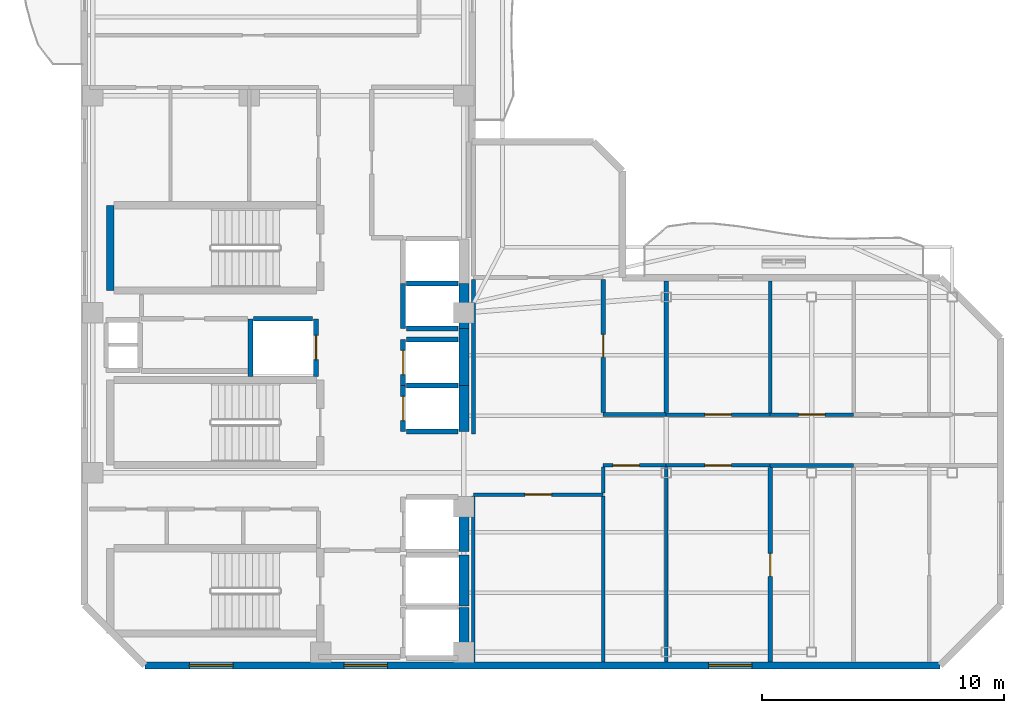
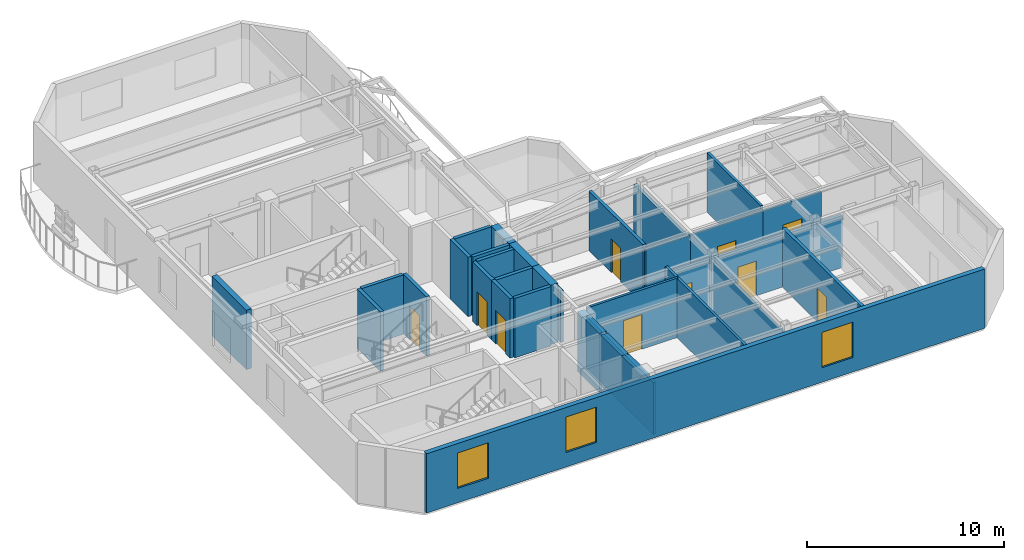
# One storey, part 3 of 7: 35 walls, 10 doors, 3 windows, 13 openings.
"""IFC4 building model written with IfcOpenShell, lengths in metres."""

from ifc_helpers import new_model, si_unit, direction, frame, frame_2d, origin, place, context, subcontext, project, spatial, rectangle, extrude, material, layer, layer_set, type_object, element, fill, save


model = new_model("IFC4")

# Units and contexts
model_context = context("Model", 3, precision=1e-05, world=origin(), true_north=direction((0.0, 1.0)))
body_context = subcontext(model_context, "Body", "Model", "MODEL_VIEW")
ifc_project = project(units=[si_unit("LENGTHUNIT", "METRE"), si_unit("AREAUNIT", "SQUARE_METRE"), si_unit("VOLUMEUNIT", "CUBIC_METRE"), si_unit("PLANEANGLEUNIT", "RADIAN"), si_unit("MASSUNIT", "GRAM", prefix="KILO")], contexts=[model_context])

# Site, building, storey
site_placement = place(None, origin())
site = spatial("IfcSite", under=ifc_project, at=site_placement, CompositionType="ELEMENT")
building_placement = place(site_placement, origin())
building = spatial("IfcBuilding", under=site, at=building_placement, Name="Mawjaban Terraces University", CompositionType="ELEMENT")
storey_placement = place(building_placement, frame((0.0, 0.0, 283.300048828125)))
storey = spatial("IfcBuildingStorey", under=building, at=storey_placement, Name="L69", CompositionType="ELEMENT", Elevation=283.300048828125)

# Walls
ifc_material_1 = material(Name="Acoustic masonry blockwork", Category="masonry")
ifc_layer_1 = layer(ifc_material_1, 0.179931640625)
ifc_layer_set_1 = layer_set([ifc_layer_1], Name="Acoustic masonry blockwork")
wall_type_1 = type_object("IfcWallType", Name="AcousticStudioWall_180", PredefinedType="PARTITIONING", material=ifc_layer_set_1)
wall_1_placement = place(storey_placement, frame((46.0, 10.35009765625, 0.0), z_axis=(0.0, 0.0, 1.0), x_axis=(-1.0, 0.0, 0.0)))
element("IfcWall", 1, at=wall_1_placement, inside=storey, type_object=wall_type_1, Name="L69 Upper East Research Corridor Partition 19", PredefinedType="PARTITIONING", context=body_context, shape_type="SweptSolid", body=[
    extrude(rectangle(XDim=2.60009765625, YDim=0.179931640625, at=frame_2d((1.300048828125, 0.0))), origin(), (0.0, 0.0, 1.0), 3.424072265625),
])
wall_2_placement = place(storey_placement, frame((50.2900390625, 8.25, 0.0), z_axis=(0.0, 0.0, 1.0), x_axis=(1.0, 0.0, 0.0)))
element("IfcWall", 2, at=wall_2_placement, inside=storey, type_object=wall_type_1, Name="L69 Upper East Research Corridor Partition 20", PredefinedType="PARTITIONING", context=body_context, shape_type="SweptSolid", body=[
    extrude(rectangle(XDim=3.43994140625, YDim=0.179931640625, at=frame_2d((1.719970703125, 0.0))), origin(), (0.0, 0.0, 1.0), 3.22705078125),
])

# Wall, opening, door
wall_3_placement = place(storey_placement, frame((43.39990234375, 10.43505859375, 0.0), z_axis=(0.0, 0.0, 1.0), x_axis=(0.0, 1.0, 0.0)))
wall_3 = element("IfcWall", 3, at=wall_3_placement, inside=storey, type_object=wall_type_1, Name="L69 Upper Research Hub Concourse Partition 43", PredefinedType="PARTITIONING", context=body_context, shape_type="SweptSolid", body=[
    extrude(rectangle(XDim=5.489990234375, YDim=0.179931640625, at=frame_2d((2.7451171875, 0.0))), origin(), (0.0, 0.0, 1.0), 3.68994140625),
])
opening_1_placement = place(wall_3_placement, frame((2.27001953125, 0.0, 0.0)))
opening_1 = element("IfcOpeningElement", 4, at=opening_1_placement, cuts=wall_3, Name="Opening ID-095", PredefinedType="OPENING", context=body_context, shape_type="SweptSolid", body=[
    extrude(rectangle(XDim=0.949951171875, YDim=2.10009765625, at=frame_2d((0.47509765625, 1.050048828125))), frame((0.0, 0.099853515625, 0.0), z_axis=(0.0, -1.0, 0.0), x_axis=(1.0, 0.0, 0.0)), (0.0, 0.0, 1.0), 0.199951171875),
])
ifc_material_2 = material(Name="Powder-coated steel frame and solid acoustic timber leaf", Category="steel")
door_type_1 = type_object("IfcDoorType", Name="StudioDoor_950x2100", OperationType="NOTDEFINED", PredefinedType="DOOR", material=ifc_material_2)
door_1_placement = place(opening_1_placement, origin())
door_1 = element("IfcDoor", 5, at=door_1_placement, inside=storey, type_object=door_type_1, Name="L69 Design Studio 3 Door", OperationType="SINGLE_SWING_RIGHT", OverallHeight=2.10009765625, OverallWidth=0.949951171875, PredefinedType="DOOR", context=body_context, shape_type="SweptSolid", body=[
    extrude(rectangle(XDim=0.949951171875, YDim=2.10009765625, at=frame_2d((0.47509765625, 1.050048828125))), frame((0.0, 0.02490234375, 0.0), z_axis=(0.0, -1.0, 0.0), x_axis=(1.0, 0.0, 0.0)), (0.0, 0.0, 1.0), 0.050048828125),
])
fill(opening_1, door_1)

# Wall
wall_4_placement = place(storey_placement, frame((46.0, 10.43505859375, 0.0), z_axis=(0.0, 0.0, 1.0), x_axis=(0.0, 1.0, 0.0)))
element("IfcWall", 6, at=wall_4_placement, inside=storey, type_object=wall_type_1, Name="L69 Design Studio 3 Partition 45", PredefinedType="PARTITIONING", context=body_context, shape_type="SweptSolid", body=[
    extrude(rectangle(XDim=5.431884765625, YDim=0.179931640625, at=frame_2d((2.7158203125, 0.0))), origin(), (0.0, 0.0, 1.0), 3.22705078125),
])

# Wall, opening, door
wall_5_placement = place(storey_placement, frame((50.2900390625, 0.133056640625, 0.0), z_axis=(0.0, 0.0, 1.0), x_axis=(0.0, 1.0, 0.0)))
wall_5 = element("IfcWall", 7, at=wall_5_placement, inside=storey, type_object=wall_type_1, Name="L69 Computational Laboratory 4 Partition 46", PredefinedType="PARTITIONING", context=body_context, shape_type="SweptSolid", body=[
    extrude(rectangle(XDim=8.031982421875, YDim=0.179931640625, at=frame_2d((4.01611328125, 0.0))), origin(), (0.0, 0.0, 1.0), 3.68994140625),
])
opening_2_placement = place(wall_5_placement, frame((3.541015625, 0.0, 0.0)))
opening_2 = element("IfcOpeningElement", 8, at=opening_2_placement, cuts=wall_5, Name="Opening ID-095", PredefinedType="OPENING", context=body_context, shape_type="SweptSolid", body=[
    extrude(rectangle(XDim=0.949951171875, YDim=2.10009765625, at=frame_2d((0.47509765625, 1.050048828125))), frame((0.0, 0.099853515625, 0.0), z_axis=(0.0, -1.0, 0.0), x_axis=(1.0, 0.0, 0.0)), (0.0, 0.0, 1.0), 0.199951171875),
])
door_2_placement = place(opening_2_placement, origin())
door_2 = element("IfcDoor", 9, at=door_2_placement, inside=storey, type_object=door_type_1, Name="L69 Design Studio 6 Door", OperationType="SINGLE_SWING_LEFT", OverallHeight=2.10009765625, OverallWidth=0.949951171875, PredefinedType="DOOR", context=body_context, shape_type="SweptSolid", body=[
    extrude(rectangle(XDim=0.949951171875, YDim=2.10009765625, at=frame_2d((0.47509765625, 1.050048828125))), frame((0.0, 0.02490234375, 0.0), z_axis=(0.0, -1.0, 0.0), x_axis=(1.0, 0.0, 0.0)), (0.0, 0.0, 1.0), 0.050048828125),
])
fill(opening_2, door_2)

# Walls
ifc_material_3 = material(Name="Concrete C50/60", Category="concrete")
ifc_layer_2 = layer(ifc_material_3, 0.419921875)
ifc_layer_set_2 = layer_set([ifc_layer_2], Name="Concrete C50/60")
wall_type_2 = type_object("IfcWallType", Name="CoreShearWall_420", PredefinedType="SHEAR", material=ifc_layer_set_2)
wall_6_placement = place(storey_placement, frame((37.659912109375, 0.300048828125, 0.0), z_axis=(0.0, 0.0, 1.0), x_axis=(0.0, 1.0, 0.0)))
element("IfcWall", 10, at=wall_6_placement, inside=storey, type_object=wall_type_2, Name="L69 Lift FL-1 Hoistway Wall East", PredefinedType="SHEAR", context=body_context, shape_type="SweptSolid", body=[
    extrude(rectangle(XDim=2.099853515625, YDim=0.419921875, at=frame_2d((1.0498046875, 0.0))), origin(), (0.0, 0.0, 1.0), 3.68994140625),
])
wall_7_placement = place(storey_placement, frame((37.659912109375, 2.449951171875, 0.0), z_axis=(0.0, 0.0, 1.0), x_axis=(0.0, 1.0, 0.0)))
element("IfcWall", 11, at=wall_7_placement, inside=storey, type_object=wall_type_2, Name="L69 Lift FL-2 Hoistway Wall East", PredefinedType="SHEAR", context=body_context, shape_type="SweptSolid", body=[
    extrude(rectangle(XDim=2.10009765625, YDim=0.419921875, at=frame_2d((1.050048828125, 0.0))), origin(), (0.0, 0.0, 1.0), 3.68994140625),
])
wall_8_placement = place(storey_placement, frame((37.659912109375, 4.699951171875, 0.0), z_axis=(0.0, 0.0, 1.0), x_axis=(0.0, 1.0, 0.0)))
element("IfcWall", 12, at=wall_8_placement, inside=storey, type_object=wall_type_2, Name="L69 Lift SL-1 Hoistway Wall East", PredefinedType="SHEAR", context=body_context, shape_type="SweptSolid", body=[
    extrude(rectangle(XDim=2.25, YDim=0.419921875, at=frame_2d((1.125, 0.0))), origin(), (0.0, 0.0, 1.0), 3.68994140625),
])
wall_9_placement = place(storey_placement, frame((37.659912109375, 9.64990234375, 0.0), z_axis=(0.0, 0.0, 1.0), x_axis=(0.0, 1.0, 0.0)))
element("IfcWall", 13, at=wall_9_placement, inside=storey, type_object=wall_type_2, Name="L69 Lift PL-H1 Hoistway Wall East", PredefinedType="SHEAR", context=body_context, shape_type="SweptSolid", body=[
    extrude(rectangle(XDim=1.900146484375, YDim=0.419921875, at=frame_2d((0.9501953125, 0.0))), origin(), (0.0, 0.0, 1.0), 3.68994140625),
])
wall_10_placement = place(storey_placement, frame((37.659912109375, 11.550048828125, 0.0), z_axis=(0.0, 0.0, 1.0), x_axis=(0.0, 1.0, 0.0)))
element("IfcWall", 14, at=wall_10_placement, inside=storey, type_object=wall_type_2, Name="L69 Lift PL-H2 Hoistway Wall East", PredefinedType="SHEAR", context=body_context, shape_type="SweptSolid", body=[
    extrude(rectangle(XDim=2.349853515625, YDim=0.419921875, at=frame_2d((1.1748046875, 0.0))), origin(), (0.0, 0.0, 1.0), 3.68994140625),
])
wall_11_placement = place(storey_placement, frame((37.659912109375, 13.89990234375, 0.0), z_axis=(0.0, 0.0, 1.0), x_axis=(0.0, 1.0, 0.0)))
element("IfcWall", 15, at=wall_11_placement, inside=storey, type_object=wall_type_2, Name="L69 Lift OL-1 Hoistway Wall East", PredefinedType="SHEAR", context=body_context, shape_type="SweptSolid", body=[
    extrude(rectangle(XDim=1.85009765625, YDim=0.419921875, at=frame_2d((0.925048828125, 0.0))), origin(), (0.0, 0.0, 1.0), 3.68994140625),
])
ifc_material_4 = material(Name="Fire-rated gypsum board on steel stud", Category="steel")
ifc_layer_3 = layer(ifc_material_4, 0.159912109375)
ifc_layer_set_3 = layer_set([ifc_layer_3], Name="Fire-rated gypsum board on steel stud")
wall_type_3 = type_object("IfcWallType", Name="CorridorPartition_160", PredefinedType="PARTITIONING", material=ifc_layer_set_3)
wall_12_placement = place(storey_placement, frame((38.050048828125, 15.925048828125, 0.0), z_axis=(0.0, 0.0, 1.0), x_axis=(0.0, -1.0, 0.0)))
element("IfcWall", 16, at=wall_12_placement, inside=storey, type_object=wall_type_3, Name="L69 Upper Research Hub Concourse Partition 39", PredefinedType="PARTITIONING", context=body_context, shape_type="SweptSolid", body=[
    extrude(rectangle(XDim=6.375, YDim=0.159912109375, at=frame_2d((3.1875, 0.0))), origin(), (0.0, 0.0, 1.0), 3.22705078125),
])

# Wall, openings, windows
ifc_material_5 = material(Name="Insulated terracotta rainscreen on concrete backup C40/50", Category="masonry")
ifc_layer_4 = layer(ifc_material_5, 0.27490234375)
ifc_layer_set_4 = layer_set([ifc_layer_4], Name="Insulated terracotta rainscreen on concrete backup C40/50")
wall_type_4 = type_object("IfcWallType", Name="ExtTerracottaWall_275", PredefinedType="SOLIDWALL", material=ifc_layer_set_4)
wall_13_placement = place(storey_placement, frame((24.5, 0.0, 0.0), z_axis=(0.0, 0.0, 1.0), x_axis=(1.0, 0.0, 0.0)))
wall_13 = element("IfcWall", 17, at=wall_13_placement, inside=storey, type_object=wall_type_4, Name="L69 Exterior Terracotta Wall 1", PredefinedType="SOLIDWALL", context=body_context, shape_type="SweptSolid", body=[
    extrude(rectangle(XDim=32.800048828125, YDim=0.27490234375, at=frame_2d((16.39990234375, 0.0))), origin(), (0.0, 0.0, 1.0), 3.68994140625),
])
opening_3_placement = place(wall_13_placement, frame((1.8330078125, 0.0, 0.89990234375)))
opening_3 = element("IfcOpeningElement", 18, at=opening_3_placement, cuts=wall_13, Name="Opening W-10", PredefinedType="OPENING", context=body_context, shape_type="SweptSolid", body=[
    extrude(rectangle(XDim=1.800048828125, YDim=2.199951171875, at=frame_2d((0.89990234375, 1.10009765625))), frame((0.0, 0.1474609375, 0.0), z_axis=(0.0, -1.0, 0.0), x_axis=(1.0, 0.0, 0.0)), (0.0, 0.0, 1.0), 0.294921875),
])
opening_4_placement = place(wall_13_placement, frame((8.199951171875, 0.0, 0.89990234375)))
opening_4 = element("IfcOpeningElement", 19, at=opening_4_placement, cuts=wall_13, Name="Opening W-10", PredefinedType="OPENING", context=body_context, shape_type="SweptSolid", body=[
    extrude(rectangle(XDim=1.800048828125, YDim=2.199951171875, at=frame_2d((0.89990234375, 1.10009765625))), frame((0.0, 0.1474609375, 0.0), z_axis=(0.0, -1.0, 0.0), x_axis=(1.0, 0.0, 0.0)), (0.0, 0.0, 1.0), 0.294921875),
])
opening_5_placement = place(wall_13_placement, frame((23.25, 0.0, 0.89990234375)))
opening_5 = element("IfcOpeningElement", 20, at=opening_5_placement, cuts=wall_13, Name="Opening W-10", PredefinedType="OPENING", context=body_context, shape_type="SweptSolid", body=[
    extrude(rectangle(XDim=1.800048828125, YDim=2.199951171875, at=frame_2d((0.89990234375, 1.10009765625))), frame((0.0, 0.1474609375, 0.0), z_axis=(0.0, -1.0, 0.0), x_axis=(1.0, 0.0, 0.0)), (0.0, 0.0, 1.0), 0.294921875),
])
ifc_material_6 = material(Name="Low-E solar-control double glazing in thermally broken aluminium frame", Category="aluminium")
window_type = type_object("IfcWindowType", Name="Win_1800x2200", PartitioningType="SINGLE_PANEL", PredefinedType="WINDOW", material=ifc_material_6)
window_1_placement = place(opening_3_placement, origin())
window_1 = element("IfcWindow", 21, at=window_1_placement, inside=storey, type_object=window_type, Name="L69 Facade Window 1.1", OverallHeight=2.199951171875, OverallWidth=1.800048828125, PartitioningType="SINGLE_PANEL", PredefinedType="WINDOW", context=body_context, shape_type="SweptSolid", body=[
    extrude(rectangle(XDim=1.800048828125, YDim=2.199951171875, at=frame_2d((0.89990234375, 1.10009765625))), frame((0.0, 0.030029296875, 0.0), z_axis=(0.0, -1.0, 0.0), x_axis=(1.0, 0.0, 0.0)), (0.0, 0.0, 1.0), 0.06005859375),
])
fill(opening_3, window_1)
window_2_placement = place(opening_4_placement, origin())
window_2 = element("IfcWindow", 22, at=window_2_placement, inside=storey, type_object=window_type, Name="L69 Facade Window 1.2", OverallHeight=2.199951171875, OverallWidth=1.800048828125, PartitioningType="SINGLE_PANEL", PredefinedType="WINDOW", context=body_context, shape_type="SweptSolid", body=[
    extrude(rectangle(XDim=1.800048828125, YDim=2.199951171875, at=frame_2d((0.89990234375, 1.10009765625))), frame((0.0, 0.030029296875, 0.0), z_axis=(0.0, -1.0, 0.0), x_axis=(1.0, 0.0, 0.0)), (0.0, 0.0, 1.0), 0.06005859375),
])
fill(opening_4, window_2)
window_3_placement = place(opening_5_placement, origin())
window_3 = element("IfcWindow", 23, at=window_3_placement, inside=storey, type_object=window_type, Name="L69 Facade Window 1.5", OverallHeight=2.199951171875, OverallWidth=1.800048828125, PartitioningType="SINGLE_PANEL", PredefinedType="WINDOW", context=body_context, shape_type="SweptSolid", body=[
    extrude(rectangle(XDim=1.800048828125, YDim=2.199951171875, at=frame_2d((0.89990234375, 1.10009765625))), frame((0.0, 0.030029296875, 0.0), z_axis=(0.0, -1.0, 0.0), x_axis=(1.0, 0.0, 0.0)), (0.0, 0.0, 1.0), 0.06005859375),
])
fill(opening_5, window_3)

# Wall, opening, door
ifc_material_7 = material(Name="Concrete C40/50", Category="concrete")
ifc_layer_5 = layer(ifc_material_7, 0.199951171875)
ifc_layer_set_5 = layer_set([ifc_layer_5], Name="Concrete C40/50")
wall_type_5 = type_object("IfcWallType", Name="FireLobbyWall_200", PredefinedType="SOLIDWALL", material=ifc_layer_set_5)
wall_14_placement = place(storey_placement, frame((35.14990234375, 11.550048828125, 0.0), z_axis=(0.0, 0.0, 1.0), x_axis=(0.0, -1.0, 0.0)))
wall_14 = element("IfcWall", 24, at=wall_14_placement, inside=storey, type_object=wall_type_5, Name="L69 Lift PL-H1 Hoistway Wall West", PredefinedType="SOLIDWALL", context=body_context, shape_type="SweptSolid", body=[
    extrude(rectangle(XDim=1.900146484375, YDim=0.199951171875, at=frame_2d((0.9501953125, 0.0))), origin(), (0.0, 0.0, 1.0), 3.68994140625),
])
opening_6_placement = place(wall_14_placement, frame((0.449951171875, 0.0, 0.0)))
opening_6 = element("IfcOpeningElement", 25, at=opening_6_placement, cuts=wall_14, Name="Opening LD-PL-H1", PredefinedType="OPENING", context=body_context, shape_type="SweptSolid", body=[
    extrude(rectangle(XDim=1.0, YDim=2.10009765625, at=frame_2d((0.5, 1.050048828125))), frame((0.0, 0.10986328125, 0.0), z_axis=(0.0, -1.0, 0.0), x_axis=(1.0, 0.0, 0.0)), (0.0, 0.0, 1.0), 0.219970703125),
])
ifc_material_8 = material(Name="Powder-coated steel frame and fire-rated steel-faced leaf", Category="steel")
door_type_2 = type_object("IfcDoorType", Name="LiftLandingSliding_1000x2100", OperationType="NOTDEFINED", PredefinedType="DOOR", material=ifc_material_8)
door_3_placement = place(opening_6_placement, origin())
door_3 = element("IfcDoor", 26, at=door_3_placement, inside=storey, type_object=door_type_2, Name="L69 Lift PL-H1 Sliding Landing Door", OperationType="DOUBLE_DOOR_SLIDING", OverallHeight=2.10009765625, OverallWidth=1.0, PredefinedType="DOOR", context=body_context, shape_type="SweptSolid", body=[
    extrude(rectangle(XDim=1.0, YDim=2.10009765625, at=frame_2d((0.5, 1.050048828125))), frame((0.0, 0.02490234375, 0.0), z_axis=(0.0, -1.0, 0.0), x_axis=(1.0, 0.0, 0.0)), (0.0, 0.0, 1.0), 0.050048828125),
])
fill(opening_6, door_3)

# Walls
for number, where, z_axis, x_axis, name in (
    (27, (35.280029296875, 9.64990234375, 0.0), (0.0, 0.0, 1.0), (1.0, 0.0, 0.0), "L69 Lift PL-H1 Hoistway Wall South"),
    (28, (37.419921875, 11.550048828125, 0.0), (0.0, 0.0, 1.0), (-1.0, 0.0, 0.0), "L69 Lift PL-H1 Hoistway Wall North"),
):
    element("IfcWall", number, at=place(storey_placement, frame(where, z_axis=z_axis, x_axis=x_axis)), inside=storey, type_object=wall_type_5, Name=name, PredefinedType="SOLIDWALL", context=body_context, shape_type="SweptSolid", body=[
        extrude(rectangle(XDim=2.139892578125, YDim=0.199951171875, at=frame_2d((1.06982421875, 0.0))), origin(), (0.0, 0.0, 1.0), 3.68994140625),
    ])

# Wall, opening, door
wall_15_placement = place(storey_placement, frame((35.14990234375, 13.449951171875, 0.0), z_axis=(0.0, 0.0, 1.0), x_axis=(0.0, -1.0, 0.0)))
wall_15 = element("IfcWall", 29, at=wall_15_placement, inside=storey, type_object=wall_type_5, Name="L69 Lift PL-H2 Hoistway Wall West", PredefinedType="SOLIDWALL", context=body_context, shape_type="SweptSolid", body=[
    extrude(rectangle(XDim=1.89990234375, YDim=0.199951171875, at=frame_2d((0.949951171875, 0.0))), origin(), (0.0, 0.0, 1.0), 3.68994140625),
])
opening_7_placement = place(wall_15_placement, frame((0.449951171875, 0.0, 0.0)))
opening_7 = element("IfcOpeningElement", 30, at=opening_7_placement, cuts=wall_15, Name="Opening LD-PL-H2", PredefinedType="OPENING", context=body_context, shape_type="SweptSolid", body=[
    extrude(rectangle(XDim=1.0, YDim=2.10009765625, at=frame_2d((0.5, 1.050048828125))), frame((0.0, 0.10986328125, 0.0), z_axis=(0.0, -1.0, 0.0), x_axis=(1.0, 0.0, 0.0)), (0.0, 0.0, 1.0), 0.219970703125),
])
door_4_placement = place(opening_7_placement, origin())
door_4 = element("IfcDoor", 31, at=door_4_placement, inside=storey, type_object=door_type_2, Name="L69 Lift PL-H2 Sliding Landing Door", OperationType="DOUBLE_DOOR_SLIDING", OverallHeight=2.10009765625, OverallWidth=1.0, PredefinedType="DOOR", context=body_context, shape_type="SweptSolid", body=[
    extrude(rectangle(XDim=1.0, YDim=2.10009765625, at=frame_2d((0.5, 1.050048828125))), frame((0.0, 0.02490234375, 0.0), z_axis=(0.0, -1.0, 0.0), x_axis=(1.0, 0.0, 0.0)), (0.0, 0.0, 1.0), 0.050048828125),
])
fill(opening_7, door_4)

# Walls
wall_16_placement = place(storey_placement, frame((37.419921875, 13.449951171875, 0.0), z_axis=(0.0, 0.0, 1.0), x_axis=(-1.0, 0.0, 0.0)))
element("IfcWall", 32, at=wall_16_placement, inside=storey, type_object=wall_type_5, Name="L69 Lift PL-H2 Hoistway Wall North", PredefinedType="SOLIDWALL", context=body_context, shape_type="SweptSolid", body=[
    extrude(rectangle(XDim=2.139892578125, YDim=0.199951171875, at=frame_2d((1.06982421875, 0.0))), origin(), (0.0, 0.0, 1.0), 3.68994140625),
])
wall_17_placement = place(storey_placement, frame((28.85009765625, 14.300048828125, 0.0), z_axis=(0.0, 0.0, 1.0), x_axis=(0.0, -1.0, 0.0)))
element("IfcWall", 33, at=wall_17_placement, inside=storey, type_object=wall_type_5, Name="L69 Lift PL-H3 Hoistway Wall West", PredefinedType="SOLIDWALL", context=body_context, shape_type="SweptSolid", body=[
    extrude(rectangle(XDim=2.3701171875, YDim=0.199951171875, at=frame_2d((1.18505859375, 0.0))), origin(), (0.0, 0.0, 1.0), 3.68994140625),
])

# Wall, opening, door
wall_18_placement = place(storey_placement, frame((31.550048828125, 11.929931640625, 0.0), z_axis=(0.0, 0.0, 1.0), x_axis=(0.0, 1.0, 0.0)))
wall_18 = element("IfcWall", 34, at=wall_18_placement, inside=storey, type_object=wall_type_5, Name="L69 Lift PL-H3 Hoistway Wall East", PredefinedType="SOLIDWALL", context=body_context, shape_type="SweptSolid", body=[
    extrude(rectangle(XDim=2.3701171875, YDim=0.199951171875, at=frame_2d((1.18505859375, 0.0))), origin(), (0.0, 0.0, 1.0), 3.68994140625),
])
opening_8_placement = place(wall_18_placement, frame((0.68505859375, 0.0, 0.0)))
opening_8 = element("IfcOpeningElement", 35, at=opening_8_placement, cuts=wall_18, Name="Opening LD-PL-H3", PredefinedType="OPENING", context=body_context, shape_type="SweptSolid", body=[
    extrude(rectangle(XDim=1.0, YDim=2.10009765625, at=frame_2d((0.5, 1.050048828125))), frame((0.0, 0.10986328125, 0.0), z_axis=(0.0, -1.0, 0.0), x_axis=(1.0, 0.0, 0.0)), (0.0, 0.0, 1.0), 0.219970703125),
])
door_5_placement = place(opening_8_placement, origin())
door_5 = element("IfcDoor", 36, at=door_5_placement, inside=storey, type_object=door_type_2, Name="L69 Lift PL-H3 Sliding Landing Door", OperationType="DOUBLE_DOOR_SLIDING", OverallHeight=2.10009765625, OverallWidth=1.0, PredefinedType="DOOR", context=body_context, shape_type="SweptSolid", body=[
    extrude(rectangle(XDim=1.0, YDim=2.10009765625, at=frame_2d((0.5, 1.050048828125))), frame((0.0, 0.02490234375, 0.0), z_axis=(0.0, -1.0, 0.0), x_axis=(1.0, 0.0, 0.0)), (0.0, 0.0, 1.0), 0.050048828125),
])
fill(opening_8, door_5)

# Walls
wall_19_placement = place(storey_placement, frame((31.419921875, 14.300048828125, 0.0), z_axis=(0.0, 0.0, 1.0), x_axis=(-1.0, 0.0, 0.0)))
element("IfcWall", 37, at=wall_19_placement, inside=storey, type_object=wall_type_5, Name="L69 Lift PL-H3 Hoistway Wall North", PredefinedType="SOLIDWALL", context=body_context, shape_type="SweptSolid", body=[
    extrude(rectangle(XDim=2.43994140625, YDim=0.199951171875, at=frame_2d((1.219970703125, 0.0))), origin(), (0.0, 0.0, 1.0), 3.68994140625),
])
wall_20_placement = place(storey_placement, frame((35.14990234375, 15.75, 0.0), z_axis=(0.0, 0.0, 1.0), x_axis=(0.0, -1.0, 0.0)))
element("IfcWall", 38, at=wall_20_placement, inside=storey, type_object=wall_type_5, Name="L69 Lift OL-1 Hoistway Wall West", PredefinedType="SOLIDWALL", context=body_context, shape_type="SweptSolid", body=[
    extrude(rectangle(XDim=1.85009765625, YDim=0.199951171875, at=frame_2d((0.925048828125, 0.0))), origin(), (0.0, 0.0, 1.0), 3.68994140625),
])
for number, where, z_axis, x_axis, name in (
    (39, (35.280029296875, 13.89990234375, 0.0), (0.0, 0.0, 1.0), (1.0, 0.0, 0.0), "L69 Lift OL-1 Hoistway Wall South"),
    (40, (37.419921875, 15.75, 0.0), (0.0, 0.0, 1.0), (-1.0, 0.0, 0.0), "L69 Lift OL-1 Hoistway Wall North"),
):
    element("IfcWall", number, at=place(storey_placement, frame(where, z_axis=z_axis, x_axis=x_axis)), inside=storey, type_object=wall_type_5, Name=name, PredefinedType="SOLIDWALL", context=body_context, shape_type="SweptSolid", body=[
        extrude(rectangle(XDim=2.139892578125, YDim=0.199951171875, at=frame_2d((1.06982421875, 0.0))), origin(), (0.0, 0.0, 1.0), 3.68994140625),
    ])

# Wall, opening, door
ifc_material_9 = material(Name="Moisture-resistant gypsum board on steel stud", Category="steel")
ifc_layer_6 = layer(ifc_material_9, 0.14501953125)
ifc_layer_set_6 = layer_set([ifc_layer_6], Name="Moisture-resistant gypsum board on steel stud")
wall_type_6 = type_object("IfcWallType", Name="LabPartition_145", PredefinedType="PARTITIONING", material=ifc_layer_set_6)
wall_21_placement = place(storey_placement, frame((38.050048828125, 7.050048828125, 0.0), z_axis=(0.0, 0.0, 1.0), x_axis=(1.0, 0.0, 0.0)))
wall_21 = element("IfcWall", 41, at=wall_21_placement, inside=storey, type_object=wall_type_6, Name="L69 Upper Research Hub Concourse Partition 15", PredefinedType="PARTITIONING", context=body_context, shape_type="SweptSolid", body=[
    extrude(rectangle(XDim=5.349853515625, YDim=0.14501953125, at=frame_2d((2.6748046875, 0.0))), origin(), (0.0, 0.0, 1.0), 3.68994140625),
])
opening_9_placement = place(wall_21_placement, frame((2.125, 0.0, 0.0)))
opening_9 = element("IfcOpeningElement", 42, at=opening_9_placement, cuts=wall_21, Name="Opening ID-110", PredefinedType="OPENING", context=body_context, shape_type="SweptSolid", body=[
    extrude(rectangle(XDim=1.10009765625, YDim=2.14990234375, at=frame_2d((0.550048828125, 1.074951171875))), frame((0.0, 0.08251953125, 0.0), z_axis=(0.0, -1.0, 0.0), x_axis=(1.0, 0.0, 0.0)), (0.0, 0.0, 1.0), 0.1650390625),
])
door_type_3 = type_object("IfcDoorType", Name="LabDoor_1100x2150", OperationType="NOTDEFINED", PredefinedType="DOOR", material=ifc_material_2)
door_6_placement = place(opening_9_placement, origin())
door_6 = element("IfcDoor", 43, at=door_6_placement, inside=storey, type_object=door_type_3, Name="L69 Computational Laboratory 1 Door", OperationType="SINGLE_SWING_RIGHT", OverallHeight=2.14990234375, OverallWidth=1.10009765625, PredefinedType="DOOR", context=body_context, shape_type="SweptSolid", body=[
    extrude(rectangle(XDim=1.10009765625, YDim=2.14990234375, at=frame_2d((0.550048828125, 1.074951171875))), frame((0.0, 0.02490234375, 0.0), z_axis=(0.0, -1.0, 0.0), x_axis=(1.0, 0.0, 0.0)), (0.0, 0.0, 1.0), 0.050048828125),
])
fill(opening_9, door_6)

wall_22_placement = place(storey_placement, frame((43.39990234375, 8.25, 0.0), z_axis=(0.0, 0.0, 1.0), x_axis=(1.0, 0.0, 0.0)))
wall_22 = element("IfcWall", 44, at=wall_22_placement, inside=storey, type_object=wall_type_6, Name="L69 Upper East Research Corridor Partition 16", PredefinedType="PARTITIONING", context=body_context, shape_type="SweptSolid", body=[
    extrude(rectangle(XDim=2.60009765625, YDim=0.14501953125, at=frame_2d((1.300048828125, 0.0))), origin(), (0.0, 0.0, 1.0), 3.22705078125),
])
opening_10_placement = place(wall_22_placement, frame((0.39990234375, 0.0, 0.0)))
opening_10 = element("IfcOpeningElement", 45, at=opening_10_placement, cuts=wall_22, Name="Opening ID-110", PredefinedType="OPENING", context=body_context, shape_type="SweptSolid", body=[
    extrude(rectangle(XDim=1.10009765625, YDim=2.14990234375, at=frame_2d((0.550048828125, 1.074951171875))), frame((0.0, 0.08251953125, 0.0), z_axis=(0.0, -1.0, 0.0), x_axis=(1.0, 0.0, 0.0)), (0.0, 0.0, 1.0), 0.1650390625),
])
door_7_placement = place(opening_10_placement, origin())
door_7 = element("IfcDoor", 46, at=door_7_placement, inside=storey, type_object=door_type_3, Name="L69 Teaching Laboratory 2 Door", OperationType="SINGLE_SWING_LEFT", OverallHeight=2.14990234375, OverallWidth=1.10009765625, PredefinedType="DOOR", context=body_context, shape_type="SweptSolid", body=[
    extrude(rectangle(XDim=1.10009765625, YDim=2.14990234375, at=frame_2d((0.550048828125, 1.074951171875))), frame((0.0, 0.02490234375, 0.0), z_axis=(0.0, -1.0, 0.0), x_axis=(1.0, 0.0, 0.0)), (0.0, 0.0, 1.0), 0.050048828125),
])
fill(opening_10, door_7)

wall_23_placement = place(storey_placement, frame((46.0, 8.25, 0.0), z_axis=(0.0, 0.0, 1.0), x_axis=(1.0, 0.0, 0.0)))
wall_23 = element("IfcWall", 47, at=wall_23_placement, inside=storey, type_object=wall_type_6, Name="L69 Upper East Research Corridor Partition 18", PredefinedType="PARTITIONING", context=body_context, shape_type="SweptSolid", body=[
    extrude(rectangle(XDim=4.2900390625, YDim=0.14501953125, at=frame_2d((2.14501953125, 0.0))), origin(), (0.0, 0.0, 1.0), 3.22705078125),
])
opening_11_placement = place(wall_23_placement, frame((1.594970703125, 0.0, 0.0)))
opening_11 = element("IfcOpeningElement", 48, at=opening_11_placement, cuts=wall_23, Name="Opening ID-110", PredefinedType="OPENING", context=body_context, shape_type="SweptSolid", body=[
    extrude(rectangle(XDim=1.10009765625, YDim=2.14990234375, at=frame_2d((0.550048828125, 1.074951171875))), frame((0.0, 0.08251953125, 0.0), z_axis=(0.0, -1.0, 0.0), x_axis=(1.0, 0.0, 0.0)), (0.0, 0.0, 1.0), 0.1650390625),
])
door_8_placement = place(opening_11_placement, origin())
door_8 = element("IfcDoor", 49, at=door_8_placement, inside=storey, type_object=door_type_3, Name="L69 Computational Laboratory 4 Door", OperationType="SINGLE_SWING_LEFT", OverallHeight=2.14990234375, OverallWidth=1.10009765625, PredefinedType="DOOR", context=body_context, shape_type="SweptSolid", body=[
    extrude(rectangle(XDim=1.10009765625, YDim=2.14990234375, at=frame_2d((0.550048828125, 1.074951171875))), frame((0.0, 0.02490234375, 0.0), z_axis=(0.0, -1.0, 0.0), x_axis=(1.0, 0.0, 0.0)), (0.0, 0.0, 1.0), 0.050048828125),
])
fill(opening_11, door_8)

wall_24_placement = place(storey_placement, frame((50.2900390625, 10.35009765625, 0.0), z_axis=(0.0, 0.0, 1.0), x_axis=(-1.0, 0.0, 0.0)))
wall_24 = element("IfcWall", 50, at=wall_24_placement, inside=storey, type_object=wall_type_6, Name="L69 Upper East Research Corridor Partition 21", PredefinedType="PARTITIONING", context=body_context, shape_type="SweptSolid", body=[
    extrude(rectangle(XDim=4.2900390625, YDim=0.14501953125, at=frame_2d((2.14501953125, 0.0))), origin(), (0.0, 0.0, 1.0), 3.424072265625),
])
opening_12_placement = place(wall_24_placement, frame((1.594970703125, 0.0, 0.0)))
opening_12 = element("IfcOpeningElement", 51, at=opening_12_placement, cuts=wall_24, Name="Opening ID-110", PredefinedType="OPENING", context=body_context, shape_type="SweptSolid", body=[
    extrude(rectangle(XDim=1.10009765625, YDim=2.14990234375, at=frame_2d((0.550048828125, 1.074951171875))), frame((0.0, 0.08251953125, 0.0), z_axis=(0.0, -1.0, 0.0), x_axis=(1.0, 0.0, 0.0)), (0.0, 0.0, 1.0), 0.1650390625),
])
door_9_placement = place(opening_12_placement, origin())
door_9 = element("IfcDoor", 52, at=door_9_placement, inside=storey, type_object=door_type_3, Name="L69 Teaching Laboratory 5 Door", OperationType="SINGLE_SWING_RIGHT", OverallHeight=2.14990234375, OverallWidth=1.10009765625, PredefinedType="DOOR", context=body_context, shape_type="SweptSolid", body=[
    extrude(rectangle(XDim=1.10009765625, YDim=2.14990234375, at=frame_2d((0.550048828125, 1.074951171875))), frame((0.0, 0.02490234375, 0.0), z_axis=(0.0, -1.0, 0.0), x_axis=(1.0, 0.0, 0.0)), (0.0, 0.0, 1.0), 0.050048828125),
])
fill(opening_12, door_9)

wall_25_placement = place(storey_placement, frame((53.72998046875, 10.35009765625, 0.0), z_axis=(0.0, 0.0, 1.0), x_axis=(-1.0, 0.0, 0.0)))
wall_25 = element("IfcWall", 53, at=wall_25_placement, inside=storey, type_object=wall_type_6, Name="L69 Upper East Research Corridor Partition 23", PredefinedType="PARTITIONING", context=body_context, shape_type="SweptSolid", body=[
    extrude(rectangle(XDim=3.43994140625, YDim=0.14501953125, at=frame_2d((1.719970703125, 0.0))), origin(), (0.0, 0.0, 1.0), 3.424072265625),
])
opening_13_placement = place(wall_25_placement, frame((1.169921875, 0.0, 0.0)))
opening_13 = element("IfcOpeningElement", 54, at=opening_13_placement, cuts=wall_25, Name="Opening ID-110", PredefinedType="OPENING", context=body_context, shape_type="SweptSolid", body=[
    extrude(rectangle(XDim=1.10009765625, YDim=2.14990234375, at=frame_2d((0.550048828125, 1.074951171875))), frame((0.0, 0.08251953125, 0.0), z_axis=(0.0, -1.0, 0.0), x_axis=(1.0, 0.0, 0.0)), (0.0, 0.0, 1.0), 0.1650390625),
])
door_10_placement = place(opening_13_placement, origin())
door_10 = element("IfcDoor", 55, at=door_10_placement, inside=storey, type_object=door_type_3, Name="L69 Computational Laboratory 7 Door", OperationType="SINGLE_SWING_RIGHT", OverallHeight=2.14990234375, OverallWidth=1.10009765625, PredefinedType="DOOR", context=body_context, shape_type="SweptSolid", body=[
    extrude(rectangle(XDim=1.10009765625, YDim=2.14990234375, at=frame_2d((0.550048828125, 1.074951171875))), frame((0.0, 0.02490234375, 0.0), z_axis=(0.0, -1.0, 0.0), x_axis=(1.0, 0.0, 0.0)), (0.0, 0.0, 1.0), 0.050048828125),
])
fill(opening_13, door_10)

# Walls
wall_26_placement = place(storey_placement, frame((38.050048828125, 6.98193359375, 0.0), z_axis=(0.0, 0.0, 1.0), x_axis=(0.0, -1.0, 0.0)))
element("IfcWall", 56, at=wall_26_placement, inside=storey, type_object=wall_type_6, Name="L69 Computational Laboratory 1 Partition 38", PredefinedType="PARTITIONING", context=body_context, shape_type="SweptSolid", body=[
    extrude(rectangle(XDim=6.848876953125, YDim=0.14501953125, at=frame_2d((3.42431640625, 0.0))), origin(), (0.0, 0.0, 1.0), 3.22705078125),
])
wall_27_placement = place(storey_placement, frame((43.39990234375, 0.133056640625, 0.0), z_axis=(0.0, 0.0, 1.0), x_axis=(0.0, 1.0, 0.0)))
element("IfcWall", 57, at=wall_27_placement, inside=storey, type_object=wall_type_6, Name="L69 Computational Laboratory 1 Partition 41", PredefinedType="PARTITIONING", context=body_context, shape_type="SweptSolid", body=[
    extrude(rectangle(XDim=6.848876953125, YDim=0.14501953125, at=frame_2d((3.42431640625, 0.0))), origin(), (0.0, 0.0, 1.0), 3.68994140625),
])
wall_28_placement = place(storey_placement, frame((43.39990234375, 7.116943359375, 0.0), z_axis=(0.0, 0.0, 1.0), x_axis=(0.0, 1.0, 0.0)))
element("IfcWall", 58, at=wall_28_placement, inside=storey, type_object=wall_type_6, Name="L69 Upper Research Hub Concourse Partition 42", PredefinedType="PARTITIONING", context=body_context, shape_type="SweptSolid", body=[
    extrude(rectangle(XDim=1.06494140625, YDim=0.14501953125, at=frame_2d((0.532470703125, 0.0))), origin(), (0.0, 0.0, 1.0), 3.68994140625),
])
wall_29_placement = place(storey_placement, frame((46.0, 0.133056640625, 0.0), z_axis=(0.0, 0.0, 1.0), x_axis=(0.0, 1.0, 0.0)))
element("IfcWall", 59, at=wall_29_placement, inside=storey, type_object=wall_type_6, Name="L69 Teaching Laboratory 2 Partition 44", PredefinedType="PARTITIONING", context=body_context, shape_type="SweptSolid", body=[
    extrude(rectangle(XDim=8.048828125, YDim=0.14501953125, at=frame_2d((4.0244140625, 0.0))), origin(), (0.0, 0.0, 1.0), 3.22705078125),
])
wall_30_placement = place(storey_placement, frame((50.2900390625, 10.41796875, 0.0), z_axis=(0.0, 0.0, 1.0), x_axis=(0.0, 1.0, 0.0)))
element("IfcWall", 60, at=wall_30_placement, inside=storey, type_object=wall_type_6, Name="L69 Teaching Laboratory 5 Partition 47", PredefinedType="PARTITIONING", context=body_context, shape_type="SweptSolid", body=[
    extrude(rectangle(XDim=5.448974609375, YDim=0.14501953125, at=frame_2d((2.724609375, 0.0))), origin(), (0.0, 0.0, 1.0), 3.68994140625),
])
ifc_material_10 = material(Name="Concrete C60/75", Category="concrete")
ifc_layer_7 = layer(ifc_material_10, 0.300048828125)
ifc_layer_set_7 = layer_set([ifc_layer_7], Name="Concrete C60/75")
wall_type_7 = type_object("IfcWallType", Name="StairShaftWall_300", PredefinedType="SHEAR", material=ifc_layer_set_7)
wall_31_placement = place(storey_placement, frame((23.070068359375, 18.97998046875, 0.0), z_axis=(0.0, 0.0, 1.0), x_axis=(0.0, -1.0, 0.0)))
element("IfcWall", 61, at=wall_31_placement, inside=storey, type_object=wall_type_7, Name="L69 ST-2 Stair Shaft Wall 2", PredefinedType="SHEAR", context=body_context, shape_type="SweptSolid", body=[
    extrude(rectangle(XDim=3.510009765625, YDim=0.300048828125, at=frame_2d((1.7548828125, 0.0))), origin(), (0.0, 0.0, 1.0), 3.68994140625),
])

save(model, "model.ifc")
